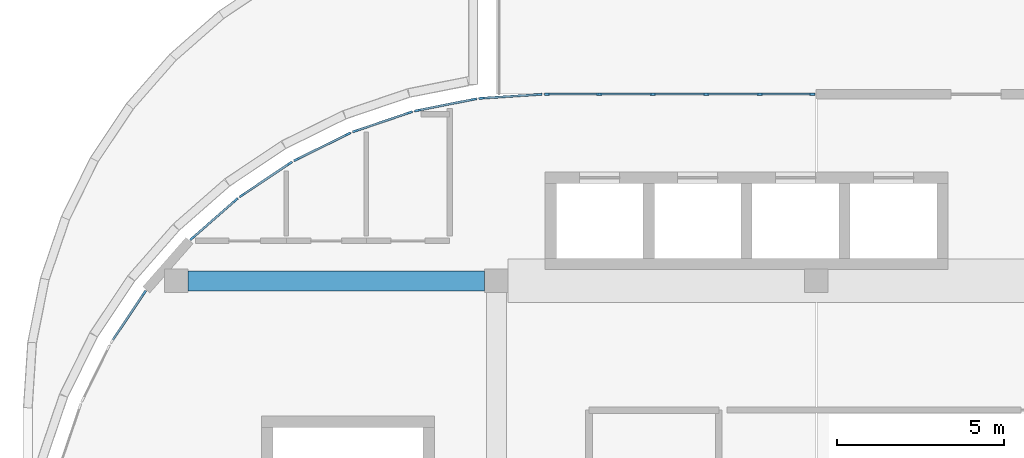
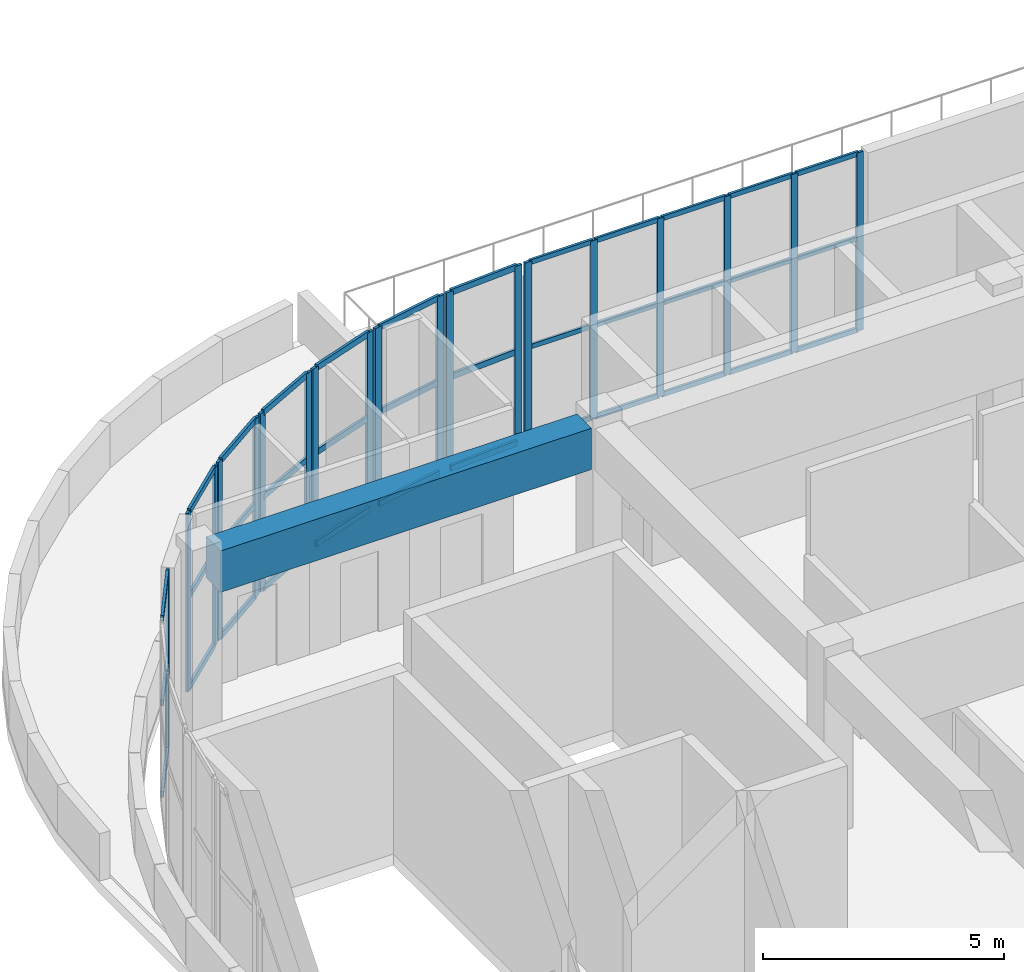
# One storey, part 10 of 23: 55 members, 1 beam, 8 elements without a shape of their own.
"""IFC4 building model written with IfcOpenShell, lengths in metres."""

from ifc_helpers import new_model, si_unit, direction, frame, origin, origin_2d, place, context, subcontext, project, spatial, rectangle, extrude, material, layer, layer_set, material_profile, profile_set, type_object, element, aggregate, save


model = new_model("IFC4")

# Units and contexts
model_context = context("Model", 3, precision=1e-05, world=origin(), true_north=direction((0.0, 1.0)))
body_context = subcontext(model_context, "Body", "Model", "MODEL_VIEW")
ifc_project = project(units=[si_unit("LENGTHUNIT", "METRE"), si_unit("AREAUNIT", "SQUARE_METRE"), si_unit("VOLUMEUNIT", "CUBIC_METRE"), si_unit("PLANEANGLEUNIT", "RADIAN"), si_unit("MASSUNIT", "GRAM", prefix="KILO")], contexts=[model_context])

# Site, building, storey
site_placement = place(None, origin())
site = spatial("IfcSite", under=ifc_project, at=site_placement, CompositionType="ELEMENT")
building_placement = place(site_placement, origin())
building = spatial("IfcBuilding", under=site, at=building_placement, Name="Cendralis Terraced Arcade", CompositionType="ELEMENT")
storey_placement = place(building_placement, frame((0.0, 0.0, 29.39990234375)))
storey = spatial("IfcBuildingStorey", under=building, at=storey_placement, Name="L06", CompositionType="ELEMENT", Elevation=29.39990234375)

# Beam
ifc_material_1 = material(Name="Concrete f'c 35 MPa", Category="concrete")
ifc_material_profile_1 = material_profile(ifc_material_1, rectangle(XDim=0.60009765625, YDim=1.050048828125, at=origin_2d()), Name="RC-BM-600x1050", Category="LoadBearing")
ifc_profile_set_1 = profile_set([ifc_material_profile_1], Name="Concrete f'c 35 MPa")
beam_type = type_object("IfcBeamType", Name="BM-600x1050", PredefinedType="JOIST", material=ifc_profile_set_1)
beam_placement = place(storey_placement, frame((9.949951171875, 38.39990234375, 4.0), z_axis=(1.0, 0.0, 0.0), x_axis=(0.0, 1.0, 0.0)))
element("IfcBeam", 1, at=beam_placement, inside=storey, type_object=beam_type, Name="Reinforced Concrete Frame Beam BM-X-RF-E-2_3", PredefinedType="JOIST", context=body_context, shape_type="SweptSolid", body=[
    extrude(rectangle(XDim=0.60009765625, YDim=1.050048828125, at=origin_2d()), origin(), (0.0, 0.0, 1.0), 8.900146484375),
])

# Curtain wall, member
ifc_material_2 = material(Name="Anodised aluminium EN AW-6063 T6", Category="aluminium")
ifc_layer_1 = layer(ifc_material_2, 0.179931640625, Name="CW-UNIT-A")
ifc_layer_set_1 = layer_set([ifc_layer_1], Name="Anodised aluminium EN AW-6063 T6")
curtain_wall_type_1 = type_object("IfcCurtainWallType", Name="CW-UNIT-A", PredefinedType="USERDEFINED", material=ifc_layer_set_1)
curtain_wall_1_placement = place(storey_placement, origin())
curtain_wall_1 = element("IfcCurtainWall", 2, at=curtain_wall_1_placement, inside=storey, type_object=curtain_wall_type_1, Name="Exterior Unitised Facade CW-L06-0450", ObjectType="UNITISED FACADE", PredefinedType="USERDEFINED")
ifc_material_profile_2 = material_profile(ifc_material_2, rectangle(XDim=0.06494140625, YDim=0.179931640625, at=origin_2d()), Name="ALU-MUL-65x180")
ifc_profile_set_2 = profile_set([ifc_material_profile_2], Name="Anodised aluminium EN AW-6063 T6")
member_type_1 = type_object("IfcMemberType", Name="CW-UNIT-A-MUL", PredefinedType="MULLION", material=ifc_profile_set_2)
member_1_placement = place(storey_placement, frame((8.631591796875, 38.029541015625, 0.0), z_axis=(0.0, 0.0, 1.0), x_axis=(-0.831471454125, 0.555567476528, 0.0)))
member_1 = element("IfcMember", 3, at=member_1_placement, type_object=member_type_1, Name="CW-U1 mullion 2", PredefinedType="MULLION", context=body_context, shape_type="SweptSolid", body=[
    extrude(rectangle(XDim=0.06494140625, YDim=0.179931640625, at=origin_2d()), origin(), (0.0, 0.0, 1.0), 4.525146484375),
])

# Curtain wall, members
curtain_wall_2_placement = place(storey_placement, origin())
curtain_wall_2 = element("IfcCurtainWall", 4, at=curtain_wall_2_placement, inside=storey, type_object=curtain_wall_type_1, Name="Exterior Unitised Facade CW-L06-0451", ObjectType="UNITISED FACADE", PredefinedType="USERDEFINED")
member_2_placement = place(storey_placement, frame((10.08544921875, 39.687255859375, 0.0), z_axis=(0.0, 0.0, 1.0), x_axis=(-0.659386076266, 0.751804497477, 0.0)))
member_2 = element("IfcMember", 5, at=member_2_placement, type_object=member_type_1, Name="CW-U1 mullion 1", PredefinedType="MULLION", context=body_context, shape_type="SweptSolid", body=[
    extrude(rectangle(XDim=0.06494140625, YDim=0.179931640625, at=origin_2d()), origin(), (0.0, 0.0, 1.0), 4.525146484375),
])
member_3_placement = place(storey_placement, frame((11.37646484375, 40.819580078125, 0.0), z_axis=(0.0, 0.0, 1.0), x_axis=(-0.659386076266, 0.751804497477, 0.0)))
member_3 = element("IfcMember", 6, at=member_3_placement, type_object=member_type_1, Name="CW-U1 mullion 2", PredefinedType="MULLION", context=body_context, shape_type="SweptSolid", body=[
    extrude(rectangle(XDim=0.06494140625, YDim=0.179931640625, at=origin_2d()), origin(), (0.0, 0.0, 1.0), 4.525146484375),
])

curtain_wall_3_placement = place(storey_placement, origin())
curtain_wall_3 = element("IfcCurtainWall", 7, at=curtain_wall_3_placement, inside=storey, type_object=curtain_wall_type_1, Name="Exterior Unitised Facade CW-L06-0452", ObjectType="UNITISED FACADE", PredefinedType="USERDEFINED")
member_4_placement = place(storey_placement, frame((11.5703125, 40.96826171875, 0.0), z_axis=(0.0, 0.0, 1.0), x_axis=(-0.555567476528, 0.831471454125, 0.0)))
member_4 = element("IfcMember", 8, at=member_4_placement, type_object=member_type_1, Name="CW-U1 mullion 1", PredefinedType="MULLION", context=body_context, shape_type="SweptSolid", body=[
    extrude(rectangle(XDim=0.06494140625, YDim=0.179931640625, at=origin_2d()), origin(), (0.0, 0.0, 1.0), 4.525146484375),
])
member_5_placement = place(storey_placement, frame((12.998291015625, 41.92236328125, 0.0), z_axis=(0.0, 0.0, 1.0), x_axis=(-0.555567476528, 0.831471454125, 0.0)))
member_5 = element("IfcMember", 9, at=member_5_placement, type_object=member_type_1, Name="CW-U1 mullion 2", PredefinedType="MULLION", context=body_context, shape_type="SweptSolid", body=[
    extrude(rectangle(XDim=0.06494140625, YDim=0.179931640625, at=origin_2d()), origin(), (0.0, 0.0, 1.0), 4.525146484375),
])

curtain_wall_4_placement = place(storey_placement, origin())
curtain_wall_4 = element("IfcCurtainWall", 10, at=curtain_wall_4_placement, inside=storey, type_object=curtain_wall_type_1, Name="Exterior Unitised Facade CW-L06-0453", ObjectType="UNITISED FACADE", PredefinedType="USERDEFINED")
member_6_placement = place(storey_placement, frame((13.2099609375, 42.044677734375, 0.0), z_axis=(0.0, 0.0, 1.0), x_axis=(-0.442291247495, 0.896871480419, 0.0)))
member_6 = element("IfcMember", 11, at=member_6_placement, type_object=member_type_1, Name="CW-U1 mullion 1", PredefinedType="MULLION", context=body_context, shape_type="SweptSolid", body=[
    extrude(rectangle(XDim=0.06494140625, YDim=0.179931640625, at=origin_2d()), origin(), (0.0, 0.0, 1.0), 4.525146484375),
])
member_7_placement = place(storey_placement, frame((14.749755859375, 42.803955078125, 0.0), z_axis=(0.0, 0.0, 1.0), x_axis=(-0.442291247495, 0.896871480419, 0.0)))
member_7 = element("IfcMember", 12, at=member_7_placement, type_object=member_type_1, Name="CW-U1 mullion 2", PredefinedType="MULLION", context=body_context, shape_type="SweptSolid", body=[
    extrude(rectangle(XDim=0.06494140625, YDim=0.179931640625, at=origin_2d()), origin(), (0.0, 0.0, 1.0), 4.525146484375),
])

curtain_wall_5_placement = place(storey_placement, origin())
curtain_wall_5 = element("IfcCurtainWall", 13, at=curtain_wall_5_placement, inside=storey, type_object=curtain_wall_type_1, Name="Exterior Unitised Facade CW-L06-0454", ObjectType="UNITISED FACADE", PredefinedType="USERDEFINED")
member_8_placement = place(storey_placement, frame((14.9755859375, 42.8974609375, 0.0), z_axis=(0.0, 0.0, 1.0), x_axis=(-0.321458077458, 0.946923811316, 0.0)))
member_8 = element("IfcMember", 14, at=member_8_placement, type_object=member_type_1, Name="CW-U1 mullion 1", PredefinedType="MULLION", context=body_context, shape_type="SweptSolid", body=[
    extrude(rectangle(XDim=0.06494140625, YDim=0.179931640625, at=origin_2d()), origin(), (0.0, 0.0, 1.0), 4.525146484375),
])
member_9_placement = place(storey_placement, frame((16.601806640625, 43.449462890625, 0.0), z_axis=(0.0, 0.0, 1.0), x_axis=(-0.321458077458, 0.946923811316, 0.0)))
member_9 = element("IfcMember", 15, at=member_9_placement, type_object=member_type_1, Name="CW-U1 mullion 2", PredefinedType="MULLION", context=body_context, shape_type="SweptSolid", body=[
    extrude(rectangle(XDim=0.06494140625, YDim=0.179931640625, at=origin_2d()), origin(), (0.0, 0.0, 1.0), 4.525146484375),
])

curtain_wall_6_placement = place(storey_placement, origin())
curtain_wall_6 = element("IfcCurtainWall", 16, at=curtain_wall_6_placement, inside=storey, type_object=curtain_wall_type_1, Name="Exterior Unitised Facade CW-L06-0455", ObjectType="UNITISED FACADE", PredefinedType="USERDEFINED")
member_10_placement = place(storey_placement, frame((16.837890625, 43.512939453125, 0.0), z_axis=(0.0, 0.0, 1.0), x_axis=(-0.195058454434, 0.980791618721, 0.0)))
member_10 = element("IfcMember", 17, at=member_10_placement, type_object=member_type_1, Name="CW-U1 mullion 1", PredefinedType="MULLION", context=body_context, shape_type="SweptSolid", body=[
    extrude(rectangle(XDim=0.06494140625, YDim=0.179931640625, at=origin_2d()), origin(), (0.0, 0.0, 1.0), 4.525146484375),
])
member_11_placement = place(storey_placement, frame((18.52197265625, 43.84765625, 0.0), z_axis=(0.0, 0.0, 1.0), x_axis=(-0.195058454434, 0.980791618721, 0.0)))
member_11 = element("IfcMember", 18, at=member_11_placement, type_object=member_type_1, Name="CW-U1 mullion 2", PredefinedType="MULLION", context=body_context, shape_type="SweptSolid", body=[
    extrude(rectangle(XDim=0.06494140625, YDim=0.179931640625, at=origin_2d()), origin(), (0.0, 0.0, 1.0), 4.525146484375),
])

curtain_wall_7_placement = place(storey_placement, origin())
curtain_wall_7 = element("IfcCurtainWall", 19, at=curtain_wall_7_placement, inside=storey, type_object=curtain_wall_type_1, Name="Exterior Unitised Facade CW-L06-0456", ObjectType="UNITISED FACADE", PredefinedType="USERDEFINED")
member_12_placement = place(storey_placement, frame((18.764404296875, 43.879638671875, 0.0), z_axis=(0.0, 0.0, 1.0), x_axis=(-0.065371873798, 0.997860971336, 0.0)))
member_12 = element("IfcMember", 20, at=member_12_placement, type_object=member_type_1, Name="CW-U1 mullion 1", PredefinedType="MULLION", context=body_context, shape_type="SweptSolid", body=[
    extrude(rectangle(XDim=0.06494140625, YDim=0.179931640625, at=origin_2d()), origin(), (0.0, 0.0, 1.0), 4.525146484375),
])
member_13_placement = place(storey_placement, frame((20.477783203125, 43.991943359375, 0.0), z_axis=(0.0, 0.0, 1.0), x_axis=(-0.065371873798, 0.997860971336, 0.0)))
member_13 = element("IfcMember", 21, at=member_13_placement, type_object=member_type_1, Name="CW-U1 mullion 2", PredefinedType="MULLION", context=body_context, shape_type="SweptSolid", body=[
    extrude(rectangle(XDim=0.06494140625, YDim=0.179931640625, at=origin_2d()), origin(), (0.0, 0.0, 1.0), 4.525146484375),
])

# Member
ifc_material_profile_3 = material_profile(ifc_material_2, rectangle(XDim=0.06494140625, YDim=0.14990234375, at=origin_2d()), Name="ALU-TRN-65x150")
ifc_profile_set_3 = profile_set([ifc_material_profile_3], Name="Anodised aluminium EN AW-6063 T6")
member_type_2 = type_object("IfcMemberType", Name="CW-UNIT-A-TRN", PredefinedType="USERDEFINED", material=ifc_profile_set_3)
member_14_placement = place(storey_placement, frame((7.69580078125, 36.62890625, 0.03271484375), z_axis=(0.555552554851, 0.831481424206, 0.0), x_axis=(-0.831481424206, 0.555552554851, 0.0)))
member_14 = element("IfcMember", 22, at=member_14_placement, type_object=member_type_2, Name="CW-U1 transom 1.1", ObjectType="TRANSOM", PredefinedType="USERDEFINED", context=body_context, shape_type="SweptSolid", body=[
    extrude(rectangle(XDim=0.06494140625, YDim=0.14990234375, at=origin_2d()), origin(), (0.0, 0.0, 1.0), 1.65185546875),
])

member_15_placement = place(storey_placement, frame((7.69580078125, 36.62890625, 2.35302734375), z_axis=(0.555552554851, 0.831481424206, 0.0), x_axis=(-0.831481424206, 0.555552554851, 0.0)))
member_15 = element("IfcMember", 23, at=member_15_placement, type_object=member_type_2, Name="CW-U1 transom 1.2", ObjectType="TRANSOM", PredefinedType="USERDEFINED", context=body_context, shape_type="SweptSolid", body=[
    extrude(rectangle(XDim=0.06494140625, YDim=0.14990234375, at=origin_2d()), origin(), (0.0, 0.0, 1.0), 1.65185546875),
])

member_16_placement = place(storey_placement, frame((7.69580078125, 36.62890625, 4.49267578125), z_axis=(0.555552554851, 0.831481424206, 0.0), x_axis=(-0.831481424206, 0.555552554851, 0.0)))
member_16 = element("IfcMember", 24, at=member_16_placement, type_object=member_type_2, Name="CW-U1 transom 1.3", ObjectType="TRANSOM", PredefinedType="USERDEFINED", context=body_context, shape_type="SweptSolid", body=[
    extrude(rectangle(XDim=0.06494140625, YDim=0.14990234375, at=origin_2d()), origin(), (0.0, 0.0, 1.0), 1.65185546875),
])

aggregate(curtain_wall_1, [member_1, member_14, member_15, member_16])

member_17_placement = place(storey_placement, frame((10.10986328125, 39.708740234375, 0.03271484375), z_axis=(0.751843927425, 0.659341117172, 0.0), x_axis=(-0.659341117172, 0.751843927425, 0.0)))
member_17 = element("IfcMember", 25, at=member_17_placement, type_object=member_type_2, Name="CW-U1 transom 1.1", ObjectType="TRANSOM", PredefinedType="USERDEFINED", context=body_context, shape_type="SweptSolid", body=[
    extrude(rectangle(XDim=0.06494140625, YDim=0.14990234375, at=origin_2d()), origin(), (0.0, 0.0, 1.0), 1.652099609375),
])

member_18_placement = place(storey_placement, frame((10.10986328125, 39.708740234375, 2.35302734375), z_axis=(0.751843927425, 0.659341117172, 0.0), x_axis=(-0.659341117172, 0.751843927425, 0.0)))
member_18 = element("IfcMember", 26, at=member_18_placement, type_object=member_type_2, Name="CW-U1 transom 1.2", ObjectType="TRANSOM", PredefinedType="USERDEFINED", context=body_context, shape_type="SweptSolid", body=[
    extrude(rectangle(XDim=0.06494140625, YDim=0.14990234375, at=origin_2d()), origin(), (0.0, 0.0, 1.0), 1.652099609375),
])

member_19_placement = place(storey_placement, frame((10.10986328125, 39.708740234375, 4.49267578125), z_axis=(0.751843927425, 0.659341117172, 0.0), x_axis=(-0.659341117172, 0.751843927425, 0.0)))
member_19 = element("IfcMember", 27, at=member_19_placement, type_object=member_type_2, Name="CW-U1 transom 1.3", ObjectType="TRANSOM", PredefinedType="USERDEFINED", context=body_context, shape_type="SweptSolid", body=[
    extrude(rectangle(XDim=0.06494140625, YDim=0.14990234375, at=origin_2d()), origin(), (0.0, 0.0, 1.0), 1.652099609375),
])

aggregate(curtain_wall_2, [member_2, member_3, member_17, member_18, member_19])

member_20_placement = place(storey_placement, frame((11.597412109375, 40.986328125, 0.03271484375), z_axis=(0.831458772582, 0.555586455466, 0.0), x_axis=(-0.555586455466, 0.831458772582, 0.0)))
member_20 = element("IfcMember", 28, at=member_20_placement, type_object=member_type_2, Name="CW-U1 transom 1.1", ObjectType="TRANSOM", PredefinedType="USERDEFINED", context=body_context, shape_type="SweptSolid", body=[
    extrude(rectangle(XDim=0.06494140625, YDim=0.14990234375, at=origin_2d()), origin(), (0.0, 0.0, 1.0), 1.65234375),
])

member_21_placement = place(storey_placement, frame((11.597412109375, 40.986328125, 2.35302734375), z_axis=(0.831458772582, 0.555586455466, 0.0), x_axis=(-0.555586455466, 0.831458772582, 0.0)))
member_21 = element("IfcMember", 29, at=member_21_placement, type_object=member_type_2, Name="CW-U1 transom 1.2", ObjectType="TRANSOM", PredefinedType="USERDEFINED", context=body_context, shape_type="SweptSolid", body=[
    extrude(rectangle(XDim=0.06494140625, YDim=0.14990234375, at=origin_2d()), origin(), (0.0, 0.0, 1.0), 1.65234375),
])

member_22_placement = place(storey_placement, frame((11.597412109375, 40.986328125, 4.49267578125), z_axis=(0.831458772582, 0.555586455466, 0.0), x_axis=(-0.555586455466, 0.831458772582, 0.0)))
member_22 = element("IfcMember", 30, at=member_22_placement, type_object=member_type_2, Name="CW-U1 transom 1.3", ObjectType="TRANSOM", PredefinedType="USERDEFINED", context=body_context, shape_type="SweptSolid", body=[
    extrude(rectangle(XDim=0.06494140625, YDim=0.14990234375, at=origin_2d()), origin(), (0.0, 0.0, 1.0), 1.65234375),
])

aggregate(curtain_wall_3, [member_4, member_5, member_20, member_21, member_22])

member_23_placement = place(storey_placement, frame((13.239013671875, 42.058837890625, 0.03271484375), z_axis=(0.896866855431, 0.442300625853, 0.0), x_axis=(-0.442300625853, 0.896866855431, 0.0)))
member_23 = element("IfcMember", 31, at=member_23_placement, type_object=member_type_2, Name="CW-U1 transom 1.1", ObjectType="TRANSOM", PredefinedType="USERDEFINED", context=body_context, shape_type="SweptSolid", body=[
    extrude(rectangle(XDim=0.06494140625, YDim=0.14990234375, at=origin_2d()), origin(), (0.0, 0.0, 1.0), 1.652099609375),
])

member_24_placement = place(storey_placement, frame((13.239013671875, 42.058837890625, 2.35302734375), z_axis=(0.896866855431, 0.442300625853, 0.0), x_axis=(-0.442300625853, 0.896866855431, 0.0)))
member_24 = element("IfcMember", 32, at=member_24_placement, type_object=member_type_2, Name="CW-U1 transom 1.2", ObjectType="TRANSOM", PredefinedType="USERDEFINED", context=body_context, shape_type="SweptSolid", body=[
    extrude(rectangle(XDim=0.06494140625, YDim=0.14990234375, at=origin_2d()), origin(), (0.0, 0.0, 1.0), 1.652099609375),
])

member_25_placement = place(storey_placement, frame((13.239013671875, 42.058837890625, 4.49267578125), z_axis=(0.896866855431, 0.442300625853, 0.0), x_axis=(-0.442300625853, 0.896866855431, 0.0)))
member_25 = element("IfcMember", 33, at=member_25_placement, type_object=member_type_2, Name="CW-U1 transom 1.3", ObjectType="TRANSOM", PredefinedType="USERDEFINED", context=body_context, shape_type="SweptSolid", body=[
    extrude(rectangle(XDim=0.06494140625, YDim=0.14990234375, at=origin_2d()), origin(), (0.0, 0.0, 1.0), 1.652099609375),
])

aggregate(curtain_wall_4, [member_6, member_7, member_23, member_24, member_25])

member_26_placement = place(storey_placement, frame((15.00634765625, 42.907958984375, 0.03271484375), z_axis=(0.946910445793, 0.321497445787, 0.0), x_axis=(-0.321497445787, 0.946910445793, 0.0)))
member_26 = element("IfcMember", 34, at=member_26_placement, type_object=member_type_2, Name="CW-U1 transom 1.1", ObjectType="TRANSOM", PredefinedType="USERDEFINED", context=body_context, shape_type="SweptSolid", body=[
    extrude(rectangle(XDim=0.06494140625, YDim=0.14990234375, at=origin_2d()), origin(), (0.0, 0.0, 1.0), 1.65234375),
])

member_27_placement = place(storey_placement, frame((15.00634765625, 42.907958984375, 2.35302734375), z_axis=(0.946910445793, 0.321497445787, 0.0), x_axis=(-0.321497445787, 0.946910445793, 0.0)))
member_27 = element("IfcMember", 35, at=member_27_placement, type_object=member_type_2, Name="CW-U1 transom 1.2", ObjectType="TRANSOM", PredefinedType="USERDEFINED", context=body_context, shape_type="SweptSolid", body=[
    extrude(rectangle(XDim=0.06494140625, YDim=0.14990234375, at=origin_2d()), origin(), (0.0, 0.0, 1.0), 1.65234375),
])

member_28_placement = place(storey_placement, frame((15.00634765625, 42.907958984375, 4.49267578125), z_axis=(0.946910445793, 0.321497445787, 0.0), x_axis=(-0.321497445787, 0.946910445793, 0.0)))
member_28 = element("IfcMember", 36, at=member_28_placement, type_object=member_type_2, Name="CW-U1 transom 1.3", ObjectType="TRANSOM", PredefinedType="USERDEFINED", context=body_context, shape_type="SweptSolid", body=[
    extrude(rectangle(XDim=0.06494140625, YDim=0.14990234375, at=origin_2d()), origin(), (0.0, 0.0, 1.0), 1.65234375),
])

aggregate(curtain_wall_5, [member_8, member_9, member_26, member_27, member_28])

member_29_placement = place(storey_placement, frame((16.869873046875, 43.519287109375, 0.03271484375), z_axis=(0.980813055353, 0.194950635927, 0.0), x_axis=(-0.194950635927, 0.980813055353, 0.0)))
member_29 = element("IfcMember", 37, at=member_29_placement, type_object=member_type_2, Name="CW-U1 transom 1.1", ObjectType="TRANSOM", PredefinedType="USERDEFINED", context=body_context, shape_type="SweptSolid", body=[
    extrude(rectangle(XDim=0.06494140625, YDim=0.14990234375, at=origin_2d()), origin(), (0.0, 0.0, 1.0), 1.65185546875),
])

member_30_placement = place(storey_placement, frame((16.869873046875, 43.519287109375, 2.35302734375), z_axis=(0.980813055353, 0.194950635927, 0.0), x_axis=(-0.194950635927, 0.980813055353, 0.0)))
member_30 = element("IfcMember", 38, at=member_30_placement, type_object=member_type_2, Name="CW-U1 transom 1.2", ObjectType="TRANSOM", PredefinedType="USERDEFINED", context=body_context, shape_type="SweptSolid", body=[
    extrude(rectangle(XDim=0.06494140625, YDim=0.14990234375, at=origin_2d()), origin(), (0.0, 0.0, 1.0), 1.65185546875),
])

member_31_placement = place(storey_placement, frame((16.869873046875, 43.519287109375, 4.49267578125), z_axis=(0.980813055353, 0.194950635927, 0.0), x_axis=(-0.194950635927, 0.980813055353, 0.0)))
member_31 = element("IfcMember", 39, at=member_31_placement, type_object=member_type_2, Name="CW-U1 transom 1.3", ObjectType="TRANSOM", PredefinedType="USERDEFINED", context=body_context, shape_type="SweptSolid", body=[
    extrude(rectangle(XDim=0.06494140625, YDim=0.14990234375, at=origin_2d()), origin(), (0.0, 0.0, 1.0), 1.65185546875),
])

aggregate(curtain_wall_6, [member_10, member_11, member_29, member_30, member_31])

member_32_placement = place(storey_placement, frame((18.796875, 43.8818359375, 0.03271484375), z_axis=(0.997864219568, 0.065322272667, 0.0), x_axis=(-0.065322272667, 0.997864219568, 0.0)))
member_32 = element("IfcMember", 40, at=member_32_placement, type_object=member_type_2, Name="CW-U1 transom 1.1", ObjectType="TRANSOM", PredefinedType="USERDEFINED", context=body_context, shape_type="SweptSolid", body=[
    extrude(rectangle(XDim=0.06494140625, YDim=0.14990234375, at=origin_2d()), origin(), (0.0, 0.0, 1.0), 1.65185546875),
])

member_33_placement = place(storey_placement, frame((18.796875, 43.8818359375, 2.35302734375), z_axis=(0.997864219568, 0.065322272667, 0.0), x_axis=(-0.065322272667, 0.997864219568, 0.0)))
member_33 = element("IfcMember", 41, at=member_33_placement, type_object=member_type_2, Name="CW-U1 transom 1.2", ObjectType="TRANSOM", PredefinedType="USERDEFINED", context=body_context, shape_type="SweptSolid", body=[
    extrude(rectangle(XDim=0.06494140625, YDim=0.14990234375, at=origin_2d()), origin(), (0.0, 0.0, 1.0), 1.65185546875),
])

member_34_placement = place(storey_placement, frame((18.796875, 43.8818359375, 4.49267578125), z_axis=(0.997864219568, 0.065322272667, 0.0), x_axis=(-0.065322272667, 0.997864219568, 0.0)))
member_34 = element("IfcMember", 42, at=member_34_placement, type_object=member_type_2, Name="CW-U1 transom 1.3", ObjectType="TRANSOM", PredefinedType="USERDEFINED", context=body_context, shape_type="SweptSolid", body=[
    extrude(rectangle(XDim=0.06494140625, YDim=0.14990234375, at=origin_2d()), origin(), (0.0, 0.0, 1.0), 1.65185546875),
])

aggregate(curtain_wall_7, [member_12, member_13, member_32, member_33, member_34])

# Curtain wall, members
ifc_layer_2 = layer(ifc_material_2, 0.159912109375, Name="CW-UNIT-B")
ifc_layer_set_2 = layer_set([ifc_layer_2], Name="Anodised aluminium EN AW-6063 T6")
curtain_wall_type_2 = type_object("IfcCurtainWallType", Name="CW-UNIT-B", PredefinedType="USERDEFINED", material=ifc_layer_set_2)
curtain_wall_8_placement = place(storey_placement, origin())
curtain_wall_8 = element("IfcCurtainWall", 43, at=curtain_wall_8_placement, inside=storey, type_object=curtain_wall_type_2, Name="Exterior Unitised Facade CW-L06-0457", ObjectType="UNITISED FACADE", PredefinedType="USERDEFINED")
ifc_material_profile_4 = material_profile(ifc_material_2, rectangle(XDim=0.06494140625, YDim=0.159912109375, at=origin_2d()), Name="ALU-MUL-65x160")
ifc_profile_set_4 = profile_set([ifc_material_profile_4], Name="Anodised aluminium EN AW-6063 T6")
member_type_3 = type_object("IfcMemberType", Name="CW-UNIT-B-MUL", PredefinedType="MULLION", material=ifc_profile_set_4)
member_35_placement = place(storey_placement, frame((20.722412109375, 44.0, 0.0), z_axis=(0.0, 0.0, 1.0), x_axis=(0.0, 1.0, 0.0)))
member_35 = element("IfcMember", 44, at=member_35_placement, type_object=member_type_3, Name="CW-U2 mullion 1", PredefinedType="MULLION", context=body_context, shape_type="SweptSolid", body=[
    extrude(rectangle(XDim=0.06494140625, YDim=0.159912109375, at=origin_2d()), origin(), (0.0, 0.0, 1.0), 4.525146484375),
])
member_36_placement = place(storey_placement, frame((22.2939453125, 44.0, 0.0), z_axis=(0.0, 0.0, 1.0), x_axis=(0.0, 1.0, 0.0)))
member_36 = element("IfcMember", 45, at=member_36_placement, type_object=member_type_3, Name="CW-U2 mullion 2", PredefinedType="MULLION", context=body_context, shape_type="SweptSolid", body=[
    extrude(rectangle(XDim=0.06494140625, YDim=0.159912109375, at=origin_2d()), origin(), (0.0, 0.0, 1.0), 4.525146484375),
])
member_37_placement = place(storey_placement, frame((23.89794921875, 44.0, 0.0), z_axis=(0.0, 0.0, 1.0), x_axis=(0.0, 1.0, 0.0)))
member_37 = element("IfcMember", 46, at=member_37_placement, type_object=member_type_3, Name="CW-U2 mullion 3", PredefinedType="MULLION", context=body_context, shape_type="SweptSolid", body=[
    extrude(rectangle(XDim=0.06494140625, YDim=0.159912109375, at=origin_2d()), origin(), (0.0, 0.0, 1.0), 4.525146484375),
])
member_38_placement = place(storey_placement, frame((25.501953125, 44.0, 0.0), z_axis=(0.0, 0.0, 1.0), x_axis=(0.0, 1.0, 0.0)))
member_38 = element("IfcMember", 47, at=member_38_placement, type_object=member_type_3, Name="CW-U2 mullion 4", PredefinedType="MULLION", context=body_context, shape_type="SweptSolid", body=[
    extrude(rectangle(XDim=0.06494140625, YDim=0.159912109375, at=origin_2d()), origin(), (0.0, 0.0, 1.0), 4.525146484375),
])
member_39_placement = place(storey_placement, frame((27.10595703125, 44.0, 0.0), z_axis=(0.0, 0.0, 1.0), x_axis=(0.0, 1.0, 0.0)))
member_39 = element("IfcMember", 48, at=member_39_placement, type_object=member_type_3, Name="CW-U2 mullion 5", PredefinedType="MULLION", context=body_context, shape_type="SweptSolid", body=[
    extrude(rectangle(XDim=0.06494140625, YDim=0.159912109375, at=origin_2d()), origin(), (0.0, 0.0, 1.0), 4.525146484375),
])
member_40_placement = place(storey_placement, frame((28.677490234375, 44.0, 0.0), z_axis=(0.0, 0.0, 1.0), x_axis=(0.0, 1.0, 0.0)))
member_40 = element("IfcMember", 49, at=member_40_placement, type_object=member_type_3, Name="CW-U2 mullion 6", PredefinedType="MULLION", context=body_context, shape_type="SweptSolid", body=[
    extrude(rectangle(XDim=0.06494140625, YDim=0.159912109375, at=origin_2d()), origin(), (0.0, 0.0, 1.0), 4.525146484375),
])
ifc_material_profile_5 = material_profile(ifc_material_2, rectangle(XDim=0.06005859375, YDim=0.1201171875, at=origin_2d()), Name="ALU-TRN-60x120")
ifc_profile_set_5 = profile_set([ifc_material_profile_5], Name="Anodised aluminium EN AW-6063 T6")
member_type_4 = type_object("IfcMemberType", Name="CW-UNIT-B-TRN", PredefinedType="USERDEFINED", material=ifc_profile_set_5)
member_41_placement = place(storey_placement, frame((20.7548828125, 44.0, 0.030029296875), z_axis=(1.0, 0.0, 0.0), x_axis=(0.0, 1.0, 0.0)))
member_41 = element("IfcMember", 50, at=member_41_placement, type_object=member_type_4, Name="CW-U2 transom 1.1", ObjectType="TRANSOM", PredefinedType="USERDEFINED", context=body_context, shape_type="SweptSolid", body=[
    extrude(rectangle(XDim=0.06005859375, YDim=0.1201171875, at=origin_2d()), origin(), (0.0, 0.0, 1.0), 1.506591796875),
])
member_42_placement = place(storey_placement, frame((20.7548828125, 44.0, 2.35302734375), z_axis=(1.0, 0.0, 0.0), x_axis=(0.0, 1.0, 0.0)))
member_42 = element("IfcMember", 51, at=member_42_placement, type_object=member_type_4, Name="CW-U2 transom 1.2", ObjectType="TRANSOM", PredefinedType="USERDEFINED", context=body_context, shape_type="SweptSolid", body=[
    extrude(rectangle(XDim=0.06005859375, YDim=0.1201171875, at=origin_2d()), origin(), (0.0, 0.0, 1.0), 1.506591796875),
])
member_43_placement = place(storey_placement, frame((20.7548828125, 44.0, 4.4951171875), z_axis=(1.0, 0.0, 0.0), x_axis=(0.0, 1.0, 0.0)))
member_43 = element("IfcMember", 52, at=member_43_placement, type_object=member_type_4, Name="CW-U2 transom 1.3", ObjectType="TRANSOM", PredefinedType="USERDEFINED", context=body_context, shape_type="SweptSolid", body=[
    extrude(rectangle(XDim=0.06005859375, YDim=0.1201171875, at=origin_2d()), origin(), (0.0, 0.0, 1.0), 1.506591796875),
])
member_44_placement = place(storey_placement, frame((22.326416015625, 44.0, 0.030029296875), z_axis=(1.0, 0.0, 0.0), x_axis=(0.0, 1.0, 0.0)))
member_44 = element("IfcMember", 53, at=member_44_placement, type_object=member_type_4, Name="CW-U2 transom 2.1", ObjectType="TRANSOM", PredefinedType="USERDEFINED", context=body_context, shape_type="SweptSolid", body=[
    extrude(rectangle(XDim=0.06005859375, YDim=0.1201171875, at=origin_2d()), origin(), (0.0, 0.0, 1.0), 1.5390625),
])
member_45_placement = place(storey_placement, frame((22.326416015625, 44.0, 2.35302734375), z_axis=(1.0, 0.0, 0.0), x_axis=(0.0, 1.0, 0.0)))
member_45 = element("IfcMember", 54, at=member_45_placement, type_object=member_type_4, Name="CW-U2 transom 2.2", ObjectType="TRANSOM", PredefinedType="USERDEFINED", context=body_context, shape_type="SweptSolid", body=[
    extrude(rectangle(XDim=0.06005859375, YDim=0.1201171875, at=origin_2d()), origin(), (0.0, 0.0, 1.0), 1.5390625),
])
member_46_placement = place(storey_placement, frame((22.326416015625, 44.0, 4.4951171875), z_axis=(1.0, 0.0, 0.0), x_axis=(0.0, 1.0, 0.0)))
member_46 = element("IfcMember", 55, at=member_46_placement, type_object=member_type_4, Name="CW-U2 transom 2.3", ObjectType="TRANSOM", PredefinedType="USERDEFINED", context=body_context, shape_type="SweptSolid", body=[
    extrude(rectangle(XDim=0.06005859375, YDim=0.1201171875, at=origin_2d()), origin(), (0.0, 0.0, 1.0), 1.5390625),
])
member_47_placement = place(storey_placement, frame((23.930419921875, 44.0, 0.030029296875), z_axis=(1.0, 0.0, 0.0), x_axis=(0.0, 1.0, 0.0)))
member_47 = element("IfcMember", 56, at=member_47_placement, type_object=member_type_4, Name="CW-U2 transom 3.1", ObjectType="TRANSOM", PredefinedType="USERDEFINED", context=body_context, shape_type="SweptSolid", body=[
    extrude(rectangle(XDim=0.06005859375, YDim=0.1201171875, at=origin_2d()), origin(), (0.0, 0.0, 1.0), 1.5390625),
])
member_48_placement = place(storey_placement, frame((23.930419921875, 44.0, 2.35302734375), z_axis=(1.0, 0.0, 0.0), x_axis=(0.0, 1.0, 0.0)))
member_48 = element("IfcMember", 57, at=member_48_placement, type_object=member_type_4, Name="CW-U2 transom 3.2", ObjectType="TRANSOM", PredefinedType="USERDEFINED", context=body_context, shape_type="SweptSolid", body=[
    extrude(rectangle(XDim=0.06005859375, YDim=0.1201171875, at=origin_2d()), origin(), (0.0, 0.0, 1.0), 1.5390625),
])
member_49_placement = place(storey_placement, frame((23.930419921875, 44.0, 4.4951171875), z_axis=(1.0, 0.0, 0.0), x_axis=(0.0, 1.0, 0.0)))
member_49 = element("IfcMember", 58, at=member_49_placement, type_object=member_type_4, Name="CW-U2 transom 3.3", ObjectType="TRANSOM", PredefinedType="USERDEFINED", context=body_context, shape_type="SweptSolid", body=[
    extrude(rectangle(XDim=0.06005859375, YDim=0.1201171875, at=origin_2d()), origin(), (0.0, 0.0, 1.0), 1.5390625),
])
member_50_placement = place(storey_placement, frame((25.534423828125, 44.0, 0.030029296875), z_axis=(1.0, 0.0, 0.0), x_axis=(0.0, 1.0, 0.0)))
member_50 = element("IfcMember", 59, at=member_50_placement, type_object=member_type_4, Name="CW-U2 transom 4.1", ObjectType="TRANSOM", PredefinedType="USERDEFINED", context=body_context, shape_type="SweptSolid", body=[
    extrude(rectangle(XDim=0.06005859375, YDim=0.1201171875, at=origin_2d()), origin(), (0.0, 0.0, 1.0), 1.5390625),
])
member_51_placement = place(storey_placement, frame((25.534423828125, 44.0, 2.35302734375), z_axis=(1.0, 0.0, 0.0), x_axis=(0.0, 1.0, 0.0)))
member_51 = element("IfcMember", 60, at=member_51_placement, type_object=member_type_4, Name="CW-U2 transom 4.2", ObjectType="TRANSOM", PredefinedType="USERDEFINED", context=body_context, shape_type="SweptSolid", body=[
    extrude(rectangle(XDim=0.06005859375, YDim=0.1201171875, at=origin_2d()), origin(), (0.0, 0.0, 1.0), 1.5390625),
])
member_52_placement = place(storey_placement, frame((25.534423828125, 44.0, 4.4951171875), z_axis=(1.0, 0.0, 0.0), x_axis=(0.0, 1.0, 0.0)))
member_52 = element("IfcMember", 61, at=member_52_placement, type_object=member_type_4, Name="CW-U2 transom 4.3", ObjectType="TRANSOM", PredefinedType="USERDEFINED", context=body_context, shape_type="SweptSolid", body=[
    extrude(rectangle(XDim=0.06005859375, YDim=0.1201171875, at=origin_2d()), origin(), (0.0, 0.0, 1.0), 1.5390625),
])
member_53_placement = place(storey_placement, frame((27.138427734375, 44.0, 0.030029296875), z_axis=(1.0, 0.0, 0.0), x_axis=(0.0, 1.0, 0.0)))
member_53 = element("IfcMember", 62, at=member_53_placement, type_object=member_type_4, Name="CW-U2 transom 5.1", ObjectType="TRANSOM", PredefinedType="USERDEFINED", context=body_context, shape_type="SweptSolid", body=[
    extrude(rectangle(XDim=0.06005859375, YDim=0.1201171875, at=origin_2d()), origin(), (0.0, 0.0, 1.0), 1.506591796875),
])
member_54_placement = place(storey_placement, frame((27.138427734375, 44.0, 2.35302734375), z_axis=(1.0, 0.0, 0.0), x_axis=(0.0, 1.0, 0.0)))
member_54 = element("IfcMember", 63, at=member_54_placement, type_object=member_type_4, Name="CW-U2 transom 5.2", ObjectType="TRANSOM", PredefinedType="USERDEFINED", context=body_context, shape_type="SweptSolid", body=[
    extrude(rectangle(XDim=0.06005859375, YDim=0.1201171875, at=origin_2d()), origin(), (0.0, 0.0, 1.0), 1.506591796875),
])
member_55_placement = place(storey_placement, frame((27.138427734375, 44.0, 4.4951171875), z_axis=(1.0, 0.0, 0.0), x_axis=(0.0, 1.0, 0.0)))
member_55 = element("IfcMember", 64, at=member_55_placement, type_object=member_type_4, Name="CW-U2 transom 5.3", ObjectType="TRANSOM", PredefinedType="USERDEFINED", context=body_context, shape_type="SweptSolid", body=[
    extrude(rectangle(XDim=0.06005859375, YDim=0.1201171875, at=origin_2d()), origin(), (0.0, 0.0, 1.0), 1.506591796875),
])
aggregate(curtain_wall_8, [member_35, member_36, member_37, member_38, member_39, member_40, member_41, member_42, member_43, member_44, member_45, member_46, member_47, member_48, member_49, member_50, member_51, member_52, member_53, member_54, member_55])

save(model, "model.ifc")
